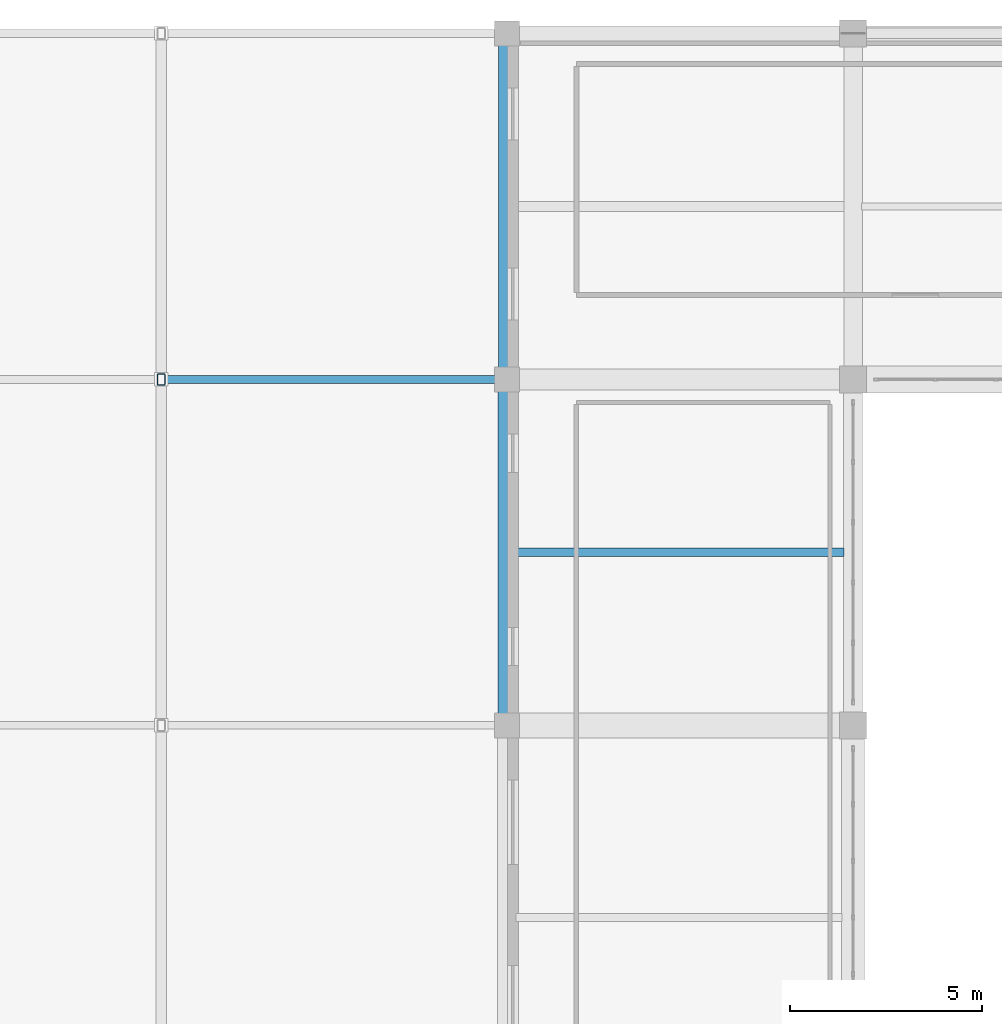
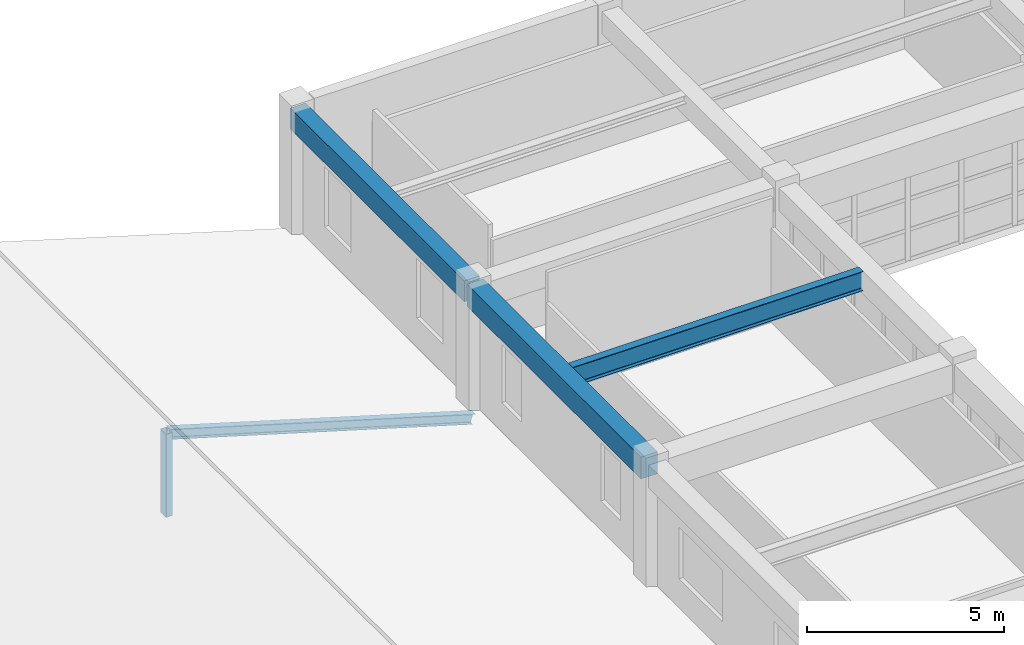
# One storey, part 59 of 130: 3 beams, 2 members.
"""IFC4 building model written with IfcOpenShell, lengths in metres."""

from ifc_helpers import new_model, si_unit, direction, frame, origin, origin_2d, place, context, subcontext, project, spatial, rectangle, hollow_rectangle, i_section, extrude, material, material_profile, profile_set, type_object, element, save


model = new_model("IFC4")

# Units and contexts
model_context = context("Model", 3, precision=1e-05, world=origin(), true_north=direction((0.0, 1.0)))
body_context = subcontext(model_context, "Body", "Model", "MODEL_VIEW")
ifc_project = project(units=[si_unit("LENGTHUNIT", "METRE"), si_unit("AREAUNIT", "SQUARE_METRE"), si_unit("VOLUMEUNIT", "CUBIC_METRE"), si_unit("PLANEANGLEUNIT", "RADIAN"), si_unit("MASSUNIT", "GRAM", prefix="KILO")], contexts=[model_context])

# Site, building, storey
site_placement = place(None, origin())
site = spatial("IfcSite", under=ifc_project, at=site_placement, CompositionType="ELEMENT")
building_placement = place(site_placement, origin())
building = spatial("IfcBuilding", under=site, at=building_placement, Name="Miravela Opera House", CompositionType="ELEMENT")
storey_placement = place(building_placement, frame((0.0, 0.0, 9.52001953125)))
storey = spatial("IfcBuildingStorey", under=building, at=storey_placement, Name="L02", CompositionType="ELEMENT", Elevation=9.52001953125)

# Beams
ifc_material_1 = material(Name="Concrete C35/45", Category="concrete")
ifc_material_profile_1 = material_profile(ifc_material_1, rectangle(XDim=0.449951171875, YDim=0.64990234375, at=origin_2d()), Name="RC-BM-450X650")
ifc_profile_set_1 = profile_set([ifc_material_profile_1])
beam_type_1 = type_object("IfcBeamType", Name="STR-BM-RC450X650", PredefinedType="BEAM", material=ifc_profile_set_1)
beam_1_placement = place(storey_placement, frame((18.0, 103.080078125, 3.514892578125), z_axis=(0.0, 1.0, 0.0), x_axis=(-1.0, 0.0, 0.0)))
element("IfcBeam", 1, at=beam_1_placement, inside=storey, type_object=beam_type_1, Name="Floor Girder L02 3/L-M", PredefinedType="BEAM", context=body_context, shape_type="SweptSolid", body=[
    extrude(rectangle(XDim=0.449951171875, YDim=0.64990234375, at=origin_2d()), origin(), (0.0, 0.0, 1.0), 8.83984375),
])
ifc_material_profile_2 = material_profile(ifc_material_1, rectangle(XDim=0.47998046875, YDim=0.679931640625, at=origin_2d()), Name="RC-BM-480X680")
ifc_profile_set_2 = profile_set([ifc_material_profile_2])
beam_type_2 = type_object("IfcBeamType", Name="STR-BM-RC480X680", PredefinedType="BEAM", material=ifc_profile_set_2)
beam_2_placement = place(storey_placement, frame((18.0, 94.080078125, 3.5), z_axis=(0.0, 1.0, 0.0), x_axis=(-1.0, 0.0, 0.0)))
element("IfcBeam", 2, at=beam_2_placement, inside=storey, type_object=beam_type_2, Name="Floor Girder L02 3/K-L", PredefinedType="BEAM", context=body_context, shape_type="SweptSolid", body=[
    extrude(rectangle(XDim=0.47998046875, YDim=0.679931640625, at=origin_2d()), origin(), (0.0, 0.0, 1.0), 8.83984375),
])
ifc_material_2 = material(Name="Structural steel ASTM A992 Gr. 50", Category="steel")
ifc_material_profile_3 = material_profile(ifc_material_2, i_section(OverallWidth=0.22802734375, OverallDepth=0.60791015625, WebThickness=0.01123046875, FlangeThickness=0.017333984375, FilletRadius=0.01611328125, at=origin_2d()), Name="W610X113")
ifc_profile_set_3 = profile_set([ifc_material_profile_3])
beam_type_3 = type_object("IfcBeamType", Name="STR-BM-W610X113", PredefinedType="BEAM", material=ifc_profile_set_3)
beam_3_placement = place(storey_placement, frame((18.22509765625, 98.5, 3.535888671875), z_axis=(1.0, 0.0, 0.0), x_axis=(0.0, 1.0, 0.0)))
element("IfcBeam", 3, at=beam_3_placement, inside=storey, type_object=beam_type_3, Name="Secondary Floor Joist L02 3-4/K-L", PredefinedType="BEAM", context=body_context, shape_type="SweptSolid", body=[
    extrude(i_section(OverallWidth=0.22802734375, OverallDepth=0.60791015625, WebThickness=0.01123046875, FlangeThickness=0.017333984375, FilletRadius=0.01611328125, at=origin_2d()), origin(), (0.0, 0.0, 1.0), 8.539794921875),
])

# Members
ifc_material_3 = material(Name="Hollow structural steel ASTM A500 Gr. C", Category="steel")
ifc_material_profile_4 = material_profile(ifc_material_3, hollow_rectangle(XDim=0.199951171875, YDim=0.300048828125, WallThickness=0.011962890625, InnerFilletRadius=0.011962890625, OuterFilletRadius=0.02392578125, at=origin_2d()), Name="HSS300X200X12")
ifc_profile_set_4 = profile_set([ifc_material_profile_4])
member_type_1 = type_object("IfcMemberType", Name="STR-MEM-POST-HSS300X200", PredefinedType="POST", material=ifc_profile_set_4)
member_1_placement = place(storey_placement, frame((9.0, 103.0, -0.25), z_axis=(0.0, 0.0, 1.0), x_axis=(1.0, 0.0, 0.0)))
element("IfcMember", 4, at=member_1_placement, inside=storey, type_object=member_type_1, Name="Roof Ridge Support Post ROOF-V5-NORTH M2", PredefinedType="POST", context=body_context, shape_type="SweptSolid", body=[
    extrude(hollow_rectangle(XDim=0.199951171875, YDim=0.300048828125, WallThickness=0.011962890625, InnerFilletRadius=0.011962890625, OuterFilletRadius=0.02392578125, at=origin_2d()), origin(), (0.0, 0.0, 1.0), 2.570068359375),
])
ifc_material_profile_5 = material_profile(ifc_material_2, i_section(OverallWidth=0.202880859375, OverallDepth=0.302978515625, WebThickness=0.007568359375, FlangeThickness=0.01318359375, FilletRadius=0.012939453125, at=origin_2d()), Name="W310X60")
ifc_profile_set_5 = profile_set([ifc_material_profile_5])
member_type_2 = type_object("IfcMemberType", Name="STR-MEM-RAFTER-2", PredefinedType="RAFTER", material=ifc_profile_set_5)
member_2_placement = place(storey_placement, frame((17.949951171875, 103.0, -0.39990234375), z_axis=(-0.958562219619, 0.0, 0.284883258756), x_axis=(0.0, -1.0, 0.0)))
element("IfcMember", 5, at=member_2_placement, inside=storey, type_object=member_type_2, Name="Pitched Roof Rafter ROOF-V5-NORTH E2", PredefinedType="RAFTER", context=body_context, shape_type="SweptSolid", body=[
    extrude(i_section(OverallWidth=0.202880859375, OverallDepth=0.302978515625, WebThickness=0.007568359375, FlangeThickness=0.01318359375, FilletRadius=0.012939453125, at=origin_2d()), origin(), (0.0, 0.0, 1.0), 9.3369140625),
])

save(model, "model.ifc")
